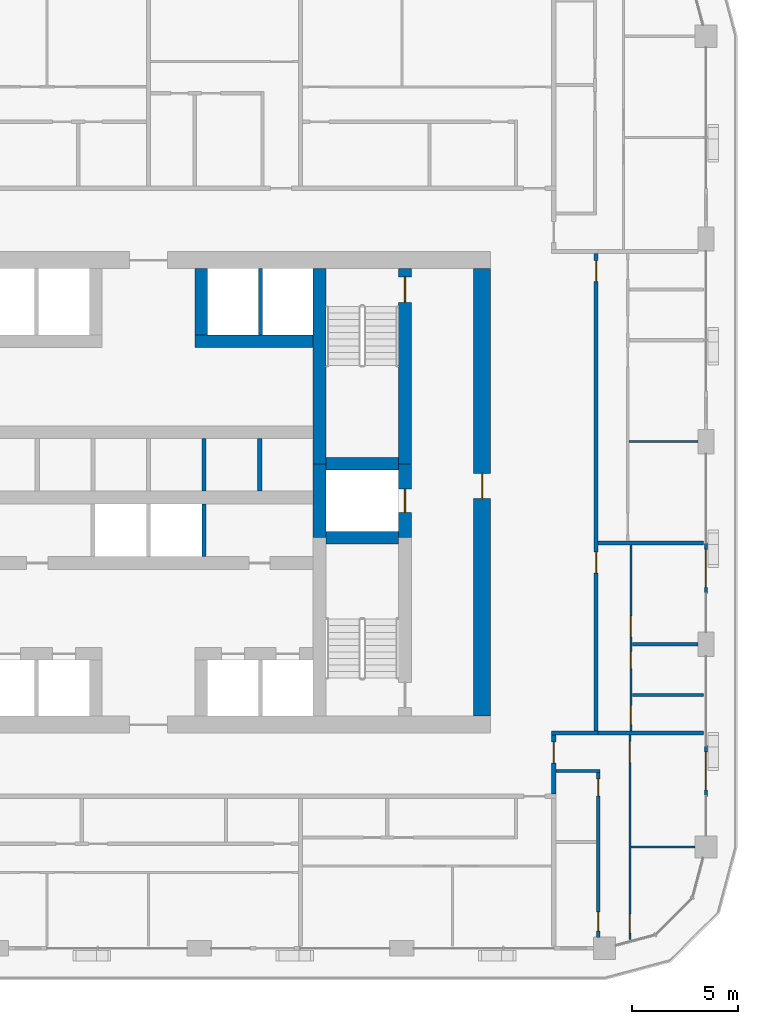
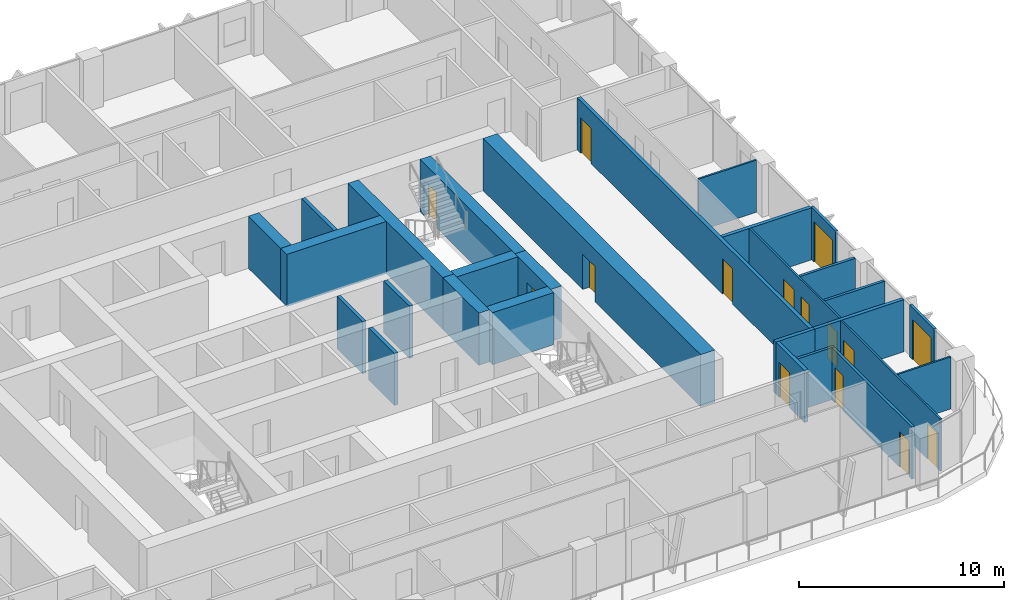
# One storey, part 12 of 22: 28 walls, 15 doors, 15 openings.
"""IFC4 building model written with IfcOpenShell, lengths in metres."""

from ifc_helpers import new_model, si_unit, direction, frame, frame_2d, origin, place, context, subcontext, project, spatial, rectangle, extrude, material, layer, layer_set, type_object, element, fill, save


model = new_model("IFC4")

# Units and contexts
model_context = context("Model", 3, precision=1e-05, world=origin(), true_north=direction((0.0, 1.0)))
body_context = subcontext(model_context, "Body", "Model", "MODEL_VIEW")
ifc_project = project(units=[si_unit("LENGTHUNIT", "METRE"), si_unit("AREAUNIT", "SQUARE_METRE"), si_unit("VOLUMEUNIT", "CUBIC_METRE"), si_unit("PLANEANGLEUNIT", "RADIAN"), si_unit("MASSUNIT", "GRAM", prefix="KILO")], contexts=[model_context])

# Site, building, storey
site_placement = place(None, origin())
site = spatial("IfcSite", under=ifc_project, at=site_placement, CompositionType="ELEMENT")
building_placement = place(site_placement, origin())
building = spatial("IfcBuilding", under=site, at=building_placement, Name="Madar Terraces", CompositionType="ELEMENT")
storey_placement = place(building_placement, frame((0.0, 0.0, 140.10009765625)))
storey = spatial("IfcBuildingStorey", under=building, at=storey_placement, Name="L36", CompositionType="ELEMENT", Elevation=140.10009765625)

# Walls
ifc_material_1 = material(Name="Concrete C70/85", Category="concrete")
ifc_layer_1 = layer(ifc_material_1, 0.60009765625)
ifc_layer_set_1 = layer_set([ifc_layer_1], Name="Concrete C70/85 (CIW3 RC wall 600)")
wall_type_1 = type_object("IfcWallType", Name="CIW3 RC wall 600", PredefinedType="SHEAR", material=ifc_layer_set_1)
wall_1_placement = place(storey_placement, frame((39.300048828125, 24.25, 0.0), z_axis=(0.0, 0.0, 1.0), x_axis=(0.0, 1.0, 0.0)))
element("IfcWall", 1, at=wall_1_placement, inside=storey, type_object=wall_type_1, Name="CORE SHAFT WALL", PredefinedType="SHEAR", context=body_context, shape_type="SweptSolid", body=[
    extrude(rectangle(XDim=3.5, YDim=0.60009765625, at=frame_2d((1.75, 0.0))), origin(), (0.0, 0.0, 1.0), 3.099853515625),
])
wall_2_placement = place(storey_placement, frame((39.300048828125, 27.75, 0.0), z_axis=(0.0, 0.0, 1.0), x_axis=(0.0, 1.0, 0.0)))
element("IfcWall", 2, at=wall_2_placement, inside=storey, type_object=wall_type_1, Name="CORE SHAFT WALL", PredefinedType="SHEAR", context=body_context, shape_type="SweptSolid", body=[
    extrude(rectangle(XDim=9.25, YDim=0.60009765625, at=frame_2d((4.625, 0.0))), origin(), (0.0, 0.0, 1.0), 3.099853515625),
])

# Wall, opening, door
wall_3_placement = place(storey_placement, frame((43.35009765625, 24.25, 0.0), z_axis=(0.0, 0.0, 1.0), x_axis=(0.0, 1.0, 0.0)))
wall_3 = element("IfcWall", 3, at=wall_3_placement, inside=storey, type_object=wall_type_1, Name="CORE SHAFT WALL", PredefinedType="SHEAR", context=body_context, shape_type="SweptSolid", body=[
    extrude(rectangle(XDim=3.5, YDim=0.60009765625, at=frame_2d((1.75, 0.0))), origin(), (0.0, 0.0, 1.0), 3.099853515625),
])
opening_1_placement = place(wall_3_placement, frame((1.199951171875, 0.0, 0.0)))
opening_1 = element("IfcOpeningElement", 4, at=opening_1_placement, cuts=wall_3, Name="Opening LD", PredefinedType="OPENING", context=body_context, shape_type="SweptSolid", body=[
    extrude(rectangle(XDim=1.10009765625, YDim=2.10009765625, at=frame_2d((0.550048828125, 1.050048828125))), frame((0.0, 0.31005859375, 0.0), z_axis=(0.0, -1.0, 0.0), x_axis=(1.0, 0.0, 0.0)), (0.0, 0.0, 1.0), 0.6201171875),
])
ifc_material_2 = material(Name="Stainless steel panel", Category="steel")
door_type_1 = type_object("IfcDoorType", Name="Lift landing door 1100 x 2100", OperationType="DOUBLE_DOOR_SLIDING", PredefinedType="DOOR", material=ifc_material_2)
door_1_placement = place(opening_1_placement, origin())
door_1 = element("IfcDoor", 5, at=door_1_placement, inside=storey, type_object=door_type_1, Name="LIFT LANDING DOOR", OperationType="DOUBLE_DOOR_SLIDING", OverallHeight=2.10009765625, OverallWidth=1.10009765625, PredefinedType="DOOR", context=body_context, shape_type="SweptSolid", body=[
    extrude(rectangle(XDim=1.10009765625, YDim=2.10009765625, at=frame_2d((0.550048828125, 1.050048828125))), frame((0.0, 0.02490234375, 0.0), z_axis=(0.0, -1.0, 0.0), x_axis=(1.0, 0.0, 0.0)), (0.0, 0.0, 1.0), 0.050048828125),
])
fill(opening_1, door_1)

wall_4_placement = place(storey_placement, frame((43.35009765625, 27.75, 0.0), z_axis=(0.0, 0.0, 1.0), x_axis=(0.0, 1.0, 0.0)))
wall_4 = element("IfcWall", 6, at=wall_4_placement, inside=storey, type_object=wall_type_1, Name="CORE SHAFT WALL", PredefinedType="SHEAR", context=body_context, shape_type="SweptSolid", body=[
    extrude(rectangle(XDim=9.25, YDim=0.60009765625, at=frame_2d((4.625, 0.0))), origin(), (0.0, 0.0, 1.0), 3.099853515625),
])
opening_2_placement = place(wall_4_placement, frame((7.64990234375, 0.0, 0.0)))
opening_2 = element("IfcOpeningElement", 7, at=opening_2_placement, cuts=wall_4, Name="Opening SD1", PredefinedType="OPENING", context=body_context, shape_type="SweptSolid", body=[
    extrude(rectangle(XDim=1.199951171875, YDim=2.10009765625, at=frame_2d((0.60009765625, 1.050048828125))), frame((0.0, 0.31005859375, 0.0), z_axis=(0.0, -1.0, 0.0), x_axis=(1.0, 0.0, 0.0)), (0.0, 0.0, 1.0), 0.6201171875),
])
ifc_material_3 = material(Name="Steel door leaf", Category="steel")
door_type_2 = type_object("IfcDoorType", Name="Stair door 1200 x 2100", OperationType="NOTDEFINED", PredefinedType="DOOR", material=ifc_material_3)
door_2_placement = place(opening_2_placement, origin())
door_2 = element("IfcDoor", 8, at=door_2_placement, inside=storey, type_object=door_type_2, Name="STAIR DOOR", OperationType="SINGLE_SWING_RIGHT", OverallHeight=2.10009765625, OverallWidth=1.199951171875, PredefinedType="DOOR", context=body_context, shape_type="SweptSolid", body=[
    extrude(rectangle(XDim=1.199951171875, YDim=2.10009765625, at=frame_2d((0.60009765625, 1.050048828125))), frame((0.0, 0.02490234375, 0.0), z_axis=(0.0, -1.0, 0.0), x_axis=(1.0, 0.0, 0.0)), (0.0, 0.0, 1.0), 0.050048828125),
])
fill(opening_2, door_2)

# Walls
for number, where, z_axis, x_axis, name in (
    (9, (39.60009765625, 24.25, 0.0), (0.0, 0.0, 1.0), (1.0, 0.0, 0.0), "CORE SHAFT WALL"),
    (10, (39.60009765625, 27.75, 0.0), (0.0, 0.0, 1.0), (1.0, 0.0, 0.0), "CORE SHAFT WALL"),
):
    element("IfcWall", number, at=place(storey_placement, frame(where, z_axis=z_axis, x_axis=x_axis)), inside=storey, type_object=wall_type_1, Name=name, PredefinedType="SHEAR", context=body_context, shape_type="SweptSolid", body=[
        extrude(rectangle(XDim=3.449951171875, YDim=0.60009765625, at=frame_2d((1.72509765625, 0.0))), origin(), (0.0, 0.0, 1.0), 3.099853515625),
    ])
wall_5_placement = place(storey_placement, frame((33.39990234375, 33.550048828125, 0.0), z_axis=(0.0, 0.0, 1.0), x_axis=(1.0, 0.0, 0.0)))
element("IfcWall", 11, at=wall_5_placement, inside=storey, type_object=wall_type_1, Name="CORE SHAFT WALL", PredefinedType="SHEAR", context=body_context, shape_type="SweptSolid", body=[
    extrude(rectangle(XDim=5.60009765625, YDim=0.60009765625, at=frame_2d((2.800048828125, 0.0))), origin(), (0.0, 0.0, 1.0), 3.099853515625),
])
wall_6_placement = place(storey_placement, frame((33.699951171875, 33.85009765625, 0.0), z_axis=(0.0, 0.0, 1.0), x_axis=(0.0, 1.0, 0.0)))
element("IfcWall", 12, at=wall_6_placement, inside=storey, type_object=wall_type_1, Name="CORE SHAFT WALL", PredefinedType="SHEAR", context=body_context, shape_type="SweptSolid", body=[
    extrude(rectangle(XDim=3.14990234375, YDim=0.60009765625, at=frame_2d((1.574951171875, 0.0))), origin(), (0.0, 0.0, 1.0), 3.099853515625),
])

# Wall, opening, door
ifc_material_4 = material(Name="Concrete C70/85", Category="concrete")
ifc_layer_2 = layer(ifc_material_4, 0.800048828125)
ifc_layer_set_2 = layer_set([ifc_layer_2], Name="Concrete C70/85 (CRW3 RC wall 800)")
wall_type_2 = type_object("IfcWallType", Name="CRW3 RC wall 800", PredefinedType="SHEAR", material=ifc_layer_set_2)
wall_7_placement = place(storey_placement, frame((47.0, 15.800048828125, 0.0), z_axis=(0.0, 0.0, 1.0), x_axis=(0.0, 1.0, 0.0)))
wall_7 = element("IfcWall", 13, at=wall_7_placement, inside=storey, type_object=wall_type_2, Name="CORE OUTER WALL", PredefinedType="SHEAR", context=body_context, shape_type="SweptSolid", body=[
    extrude(rectangle(XDim=21.199951171875, YDim=0.800048828125, at=frame_2d((10.60009765625, 0.0))), origin(), (0.0, 0.0, 1.0), 3.099853515625),
])
opening_3_placement = place(wall_7_placement, frame((10.300048828125, 0.0, 0.0)))
opening_3 = element("IfcOpeningElement", 14, at=opening_3_placement, cuts=wall_7, Name="Opening SD1", PredefinedType="OPENING", context=body_context, shape_type="SweptSolid", body=[
    extrude(rectangle(XDim=1.199951171875, YDim=2.10009765625, at=frame_2d((0.60009765625, 1.050048828125))), frame((0.0, 0.409912109375, 0.0), z_axis=(0.0, -1.0, 0.0), x_axis=(1.0, 0.0, 0.0)), (0.0, 0.0, 1.0), 0.820068359375),
])
door_3_placement = place(opening_3_placement, origin())
door_3 = element("IfcDoor", 15, at=door_3_placement, inside=storey, type_object=door_type_2, Name="STAIR DOOR", OperationType="SINGLE_SWING_RIGHT", OverallHeight=2.10009765625, OverallWidth=1.199951171875, PredefinedType="DOOR", context=body_context, shape_type="SweptSolid", body=[
    extrude(rectangle(XDim=1.199951171875, YDim=2.10009765625, at=frame_2d((0.60009765625, 1.050048828125))), frame((0.0, 0.02490234375, 0.0), z_axis=(0.0, -1.0, 0.0), x_axis=(1.0, 0.0, 0.0)), (0.0, 0.0, 1.0), 0.050048828125),
])
fill(opening_3, door_3)

# Walls
ifc_material_5 = material(Name="Concrete C40/50", Category="concrete")
ifc_layer_3 = layer(ifc_material_5, 0.199951171875)
ifc_layer_set_3 = layer_set([ifc_layer_3], Name="Core shaft dividing wall 200 C40/50")
wall_type_3 = type_object("IfcWallType", Name="Core shaft dividing wall 200 C40/50", PredefinedType="SOLIDWALL", material=ifc_layer_set_3)
for number, where, z_axis, x_axis, name in (
    (16, (33.833251953125, 23.35009765625, 0.0), (0.0, 0.0, 1.0), (0.0, 1.0, 0.0), "SHAFT DIVIDING WALL"),
    (17, (33.833251953125, 26.449951171875, 0.0), (0.0, 0.0, 1.0), (0.0, 1.0, 0.0), "SHAFT DIVIDING WALL"),
    (18, (36.466552734375, 26.449951171875, 0.0), (0.0, 0.0, 1.0), (0.0, 1.0, 0.0), "SHAFT DIVIDING WALL"),
):
    element("IfcWall", number, at=place(storey_placement, frame(where, z_axis=z_axis, x_axis=x_axis)), inside=storey, type_object=wall_type_3, Name=name, PredefinedType="SOLIDWALL", context=body_context, shape_type="SweptSolid", body=[
        extrude(rectangle(XDim=2.5, YDim=0.199951171875, at=frame_2d((1.25, 0.0))), origin(), (0.0, 0.0, 1.0), 3.099853515625),
    ])
wall_8_placement = place(storey_placement, frame((36.5, 33.85009765625, 0.0), z_axis=(0.0, 0.0, 1.0), x_axis=(0.0, 1.0, 0.0)))
element("IfcWall", 19, at=wall_8_placement, inside=storey, type_object=wall_type_3, Name="SHAFT DIVIDING WALL", PredefinedType="SOLIDWALL", context=body_context, shape_type="SweptSolid", body=[
    extrude(rectangle(XDim=3.14990234375, YDim=0.199951171875, at=frame_2d((1.574951171875, 0.0))), origin(), (0.0, 0.0, 1.0), 3.099853515625),
])

# Wall, opening, door
ifc_material_6 = material(Name="Aluminium composite panel, black, over insulated backing", Category="aluminium")
ifc_layer_4 = layer(ifc_material_6, 0.14990234375)
ifc_layer_set_4 = layer_set([ifc_layer_4], Name="Facade bay panel 150")
wall_type_4 = type_object("IfcWallType", Name="Facade bay panel 150", PredefinedType="SOLIDWALL", material=ifc_layer_set_4)
wall_9_placement = place(storey_placement, frame((57.60009765625, 12.0, 0.0), z_axis=(0.0, 0.0, 1.0), x_axis=(0.0, 1.0, 0.0)))
wall_9 = element("IfcWall", 20, at=wall_9_placement, inside=storey, type_object=wall_type_4, Name="Facade bay panel", PredefinedType="SOLIDWALL", context=body_context, shape_type="SweptSolid", body=[
    extrude(rectangle(XDim=2.39990234375, YDim=0.14990234375, at=frame_2d((1.199951171875, 0.0))), origin(), (0.0, 0.0, 1.0), 3.099853515625),
])
opening_4_placement = place(wall_9_placement, frame((0.300048828125, 0.0, 0.0)))
opening_4 = element("IfcOpeningElement", 21, at=opening_4_placement, cuts=wall_9, Name="Opening ED1", PredefinedType="OPENING", context=body_context, shape_type="SweptSolid", body=[
    extrude(rectangle(XDim=1.800048828125, YDim=2.39990234375, at=frame_2d((0.89990234375, 1.199951171875))), frame((0.0, 0.0849609375, 0.0), z_axis=(0.0, -1.0, 0.0), x_axis=(1.0, 0.0, 0.0)), (0.0, 0.0, 1.0), 0.169921875),
])
ifc_material_7 = material(Name="Glass, clear, with black aluminium frame", Category="aluminium")
door_type_3 = type_object("IfcDoorType", Name="Balcony and terrace sliding door 1800 x 2400", OperationType="SLIDING_TO_LEFT", PredefinedType="DOOR", material=ifc_material_7)
door_4_placement = place(opening_4_placement, origin())
door_4 = element("IfcDoor", 22, at=door_4_placement, inside=storey, type_object=door_type_3, Name="Balcony door", OperationType="SLIDING_TO_RIGHT", OverallHeight=2.39990234375, OverallWidth=1.800048828125, PredefinedType="DOOR", context=body_context, shape_type="SweptSolid", body=[
    extrude(rectangle(XDim=1.800048828125, YDim=2.39990234375, at=frame_2d((0.89990234375, 1.199951171875))), frame((0.0, 0.02490234375, 0.0), z_axis=(0.0, -1.0, 0.0), x_axis=(1.0, 0.0, 0.0)), (0.0, 0.0, 1.0), 0.050048828125),
])
fill(opening_4, door_4)

wall_10_placement = place(storey_placement, frame((57.60009765625, 21.60009765625, 0.0), z_axis=(0.0, 0.0, 1.0), x_axis=(0.0, 1.0, 0.0)))
wall_10 = element("IfcWall", 23, at=wall_10_placement, inside=storey, type_object=wall_type_4, Name="Facade bay panel", PredefinedType="SOLIDWALL", context=body_context, shape_type="SweptSolid", body=[
    extrude(rectangle(XDim=2.39990234375, YDim=0.14990234375, at=frame_2d((1.199951171875, 0.0))), origin(), (0.0, 0.0, 1.0), 3.099853515625),
])
opening_5_placement = place(wall_10_placement, frame((0.300048828125, 0.0, 0.0)))
opening_5 = element("IfcOpeningElement", 24, at=opening_5_placement, cuts=wall_10, Name="Opening ED1", PredefinedType="OPENING", context=body_context, shape_type="SweptSolid", body=[
    extrude(rectangle(XDim=1.800048828125, YDim=2.39990234375, at=frame_2d((0.89990234375, 1.199951171875))), frame((0.0, 0.0849609375, 0.0), z_axis=(0.0, -1.0, 0.0), x_axis=(1.0, 0.0, 0.0)), (0.0, 0.0, 1.0), 0.169921875),
])
door_5_placement = place(opening_5_placement, origin())
door_5 = element("IfcDoor", 25, at=door_5_placement, inside=storey, type_object=door_type_3, Name="Balcony door", OperationType="SLIDING_TO_LEFT", OverallHeight=2.39990234375, OverallWidth=1.800048828125, PredefinedType="DOOR", context=body_context, shape_type="SweptSolid", body=[
    extrude(rectangle(XDim=1.800048828125, YDim=2.39990234375, at=frame_2d((0.89990234375, 1.199951171875))), frame((0.0, 0.02490234375, 0.0), z_axis=(0.0, -1.0, 0.0), x_axis=(1.0, 0.0, 0.0)), (0.0, 0.0, 1.0), 0.050048828125),
])
fill(opening_5, door_5)

# Wall
ifc_material_8 = material(Name="Gypsum board on steel studs", Category="steel")
ifc_layer_5 = layer(ifc_material_8, 0.10009765625)
ifc_layer_set_5 = layer_set([ifc_layer_5], Name="Flat partition 100")
wall_type_5 = type_object("IfcWallType", Name="Flat partition 100", PredefinedType="PARTITIONING", material=ifc_layer_set_5)
wall_11_placement = place(storey_placement, frame((54.050048828125, 9.60009765625, 0.0), z_axis=(0.0, 0.0, 1.0), x_axis=(1.0, 0.0, 0.0)))
element("IfcWall", 26, at=wall_11_placement, inside=storey, type_object=wall_type_5, Name="Flat partition 100", PredefinedType="PARTITIONING", context=body_context, shape_type="SweptSolid", body=[
    extrude(rectangle(XDim=3.02490234375, YDim=0.10009765625, at=frame_2d((1.512451171875, 0.0))), origin(), (0.0, 0.0, 1.0), 3.099853515625),
])

# Wall, openings, doors
wall_12_placement = place(storey_placement, frame((54.0, 14.89990234375, 0.0), z_axis=(0.0, 0.0, 1.0), x_axis=(0.0, -1.0, 0.0)))
wall_12 = element("IfcWall", 27, at=wall_12_placement, inside=storey, type_object=wall_type_5, Name="Flat partition 100", PredefinedType="PARTITIONING", context=body_context, shape_type="SweptSolid", body=[
    extrude(rectangle(XDim=9.678466796875, YDim=0.10009765625, at=frame_2d((4.83935546875, 0.0))), origin(), (0.0, 0.0, 1.0), 3.099853515625),
])
opening_6_placement = place(wall_12_placement, frame((0.300048828125, 0.0, 0.0)))
opening_6 = element("IfcOpeningElement", 28, at=opening_6_placement, cuts=wall_12, Name="Opening D3", PredefinedType="OPENING", context=body_context, shape_type="SweptSolid", body=[
    extrude(rectangle(XDim=1.0, YDim=2.10009765625, at=frame_2d((0.5, 1.050048828125))), frame((0.0, 0.06005859375, 0.0), z_axis=(0.0, -1.0, 0.0), x_axis=(1.0, 0.0, 0.0)), (0.0, 0.0, 1.0), 0.1201171875),
])
opening_7_placement = place(wall_12_placement, frame((8.478515625, 0.0, 0.0)))
opening_7 = element("IfcOpeningElement", 29, at=opening_7_placement, cuts=wall_12, Name="Opening D2", PredefinedType="OPENING", context=body_context, shape_type="SweptSolid", body=[
    extrude(rectangle(XDim=0.89990234375, YDim=2.10009765625, at=frame_2d((0.449951171875, 1.050048828125))), frame((0.0, 0.06005859375, 0.0), z_axis=(0.0, -1.0, 0.0), x_axis=(1.0, 0.0, 0.0)), (0.0, 0.0, 1.0), 0.1201171875),
])
ifc_material_9 = material(Name="Timber door leaf", Category="wood")
door_type_4 = type_object("IfcDoorType", Name="Flat living room door 1000", OperationType="NOTDEFINED", PredefinedType="DOOR", material=ifc_material_9)
door_6_placement = place(opening_6_placement, origin())
door_6 = element("IfcDoor", 30, at=door_6_placement, inside=storey, type_object=door_type_4, Name="Flat living room door 1000", OperationType="SINGLE_SWING_LEFT", OverallHeight=2.10009765625, OverallWidth=1.0, PredefinedType="DOOR", context=body_context, shape_type="SweptSolid", body=[
    extrude(rectangle(XDim=1.0, YDim=2.10009765625, at=frame_2d((0.5, 1.050048828125))), frame((0.0, 0.02490234375, 0.0), z_axis=(0.0, -1.0, 0.0), x_axis=(1.0, 0.0, 0.0)), (0.0, 0.0, 1.0), 0.050048828125),
])
fill(opening_6, door_6)
ifc_material_10 = material(Name="Timber door leaf", Category="wood")
door_type_5 = type_object("IfcDoorType", Name="Flat room door 900", OperationType="NOTDEFINED", PredefinedType="DOOR", material=ifc_material_10)
door_7_placement = place(opening_7_placement, origin())
door_7 = element("IfcDoor", 31, at=door_7_placement, inside=storey, type_object=door_type_5, Name="Flat room door 900", OperationType="SINGLE_SWING_RIGHT", OverallHeight=2.10009765625, OverallWidth=0.89990234375, PredefinedType="DOOR", context=body_context, shape_type="SweptSolid", body=[
    extrude(rectangle(XDim=0.89990234375, YDim=2.10009765625, at=frame_2d((0.449951171875, 1.050048828125))), frame((0.0, 0.02490234375, 0.0), z_axis=(0.0, -1.0, 0.0), x_axis=(1.0, 0.0, 0.0)), (0.0, 0.0, 1.0), 0.050048828125),
])
fill(opening_7, door_7)

wall_13_placement = place(storey_placement, frame((54.050048828125, 23.89990234375, 0.0), z_axis=(0.0, 0.0, 1.0), x_axis=(0.0, -1.0, 0.0)))
wall_13 = element("IfcWall", 32, at=wall_13_placement, inside=storey, type_object=wall_type_5, Name="Flat partition 100", PredefinedType="PARTITIONING", context=body_context, shape_type="SweptSolid", body=[
    extrude(rectangle(XDim=8.7998046875, YDim=0.10009765625, at=frame_2d((4.39990234375, 0.0))), origin(), (0.0, 0.0, 1.0), 3.099853515625),
])
opening_8_placement = place(wall_13_placement, frame((3.35009765625, 0.0, 0.0)))
opening_8 = element("IfcOpeningElement", 33, at=opening_8_placement, cuts=wall_13, Name="Opening D3", PredefinedType="OPENING", context=body_context, shape_type="SweptSolid", body=[
    extrude(rectangle(XDim=1.0, YDim=2.10009765625, at=frame_2d((0.5, 1.050048828125))), frame((0.0, 0.06005859375, 0.0), z_axis=(0.0, -1.0, 0.0), x_axis=(1.0, 0.0, 0.0)), (0.0, 0.0, 1.0), 0.1201171875),
])
opening_9_placement = place(wall_13_placement, frame((5.050048828125, 0.0, 0.0)))
opening_9 = element("IfcOpeningElement", 34, at=opening_9_placement, cuts=wall_13, Name="Opening D4", PredefinedType="OPENING", context=body_context, shape_type="SweptSolid", body=[
    extrude(rectangle(XDim=0.800048828125, YDim=2.10009765625, at=frame_2d((0.39990234375, 1.050048828125))), frame((0.0, 0.06005859375, 0.0), z_axis=(0.0, -1.0, 0.0), x_axis=(1.0, 0.0, 0.0)), (0.0, 0.0, 1.0), 0.1201171875),
])
opening_10_placement = place(wall_13_placement, frame((7.60009765625, 0.0, 0.0)))
opening_10 = element("IfcOpeningElement", 35, at=opening_10_placement, cuts=wall_13, Name="Opening D2", PredefinedType="OPENING", context=body_context, shape_type="SweptSolid", body=[
    extrude(rectangle(XDim=0.89990234375, YDim=2.10009765625, at=frame_2d((0.449951171875, 1.050048828125))), frame((0.0, 0.06005859375, 0.0), z_axis=(0.0, -1.0, 0.0), x_axis=(1.0, 0.0, 0.0)), (0.0, 0.0, 1.0), 0.1201171875),
])
ifc_material_11 = material(Name="Timber door leaf", Category="wood")
door_type_6 = type_object("IfcDoorType", Name="Flat bathroom door 800", OperationType="NOTDEFINED", PredefinedType="DOOR", material=ifc_material_11)
door_8_placement = place(opening_9_placement, origin())
door_8 = element("IfcDoor", 36, at=door_8_placement, inside=storey, type_object=door_type_6, Name="Flat bathroom door 800", OperationType="SINGLE_SWING_LEFT", OverallHeight=2.10009765625, OverallWidth=0.800048828125, PredefinedType="DOOR", context=body_context, shape_type="SweptSolid", body=[
    extrude(rectangle(XDim=0.800048828125, YDim=2.10009765625, at=frame_2d((0.39990234375, 1.050048828125))), frame((0.0, 0.02490234375, 0.0), z_axis=(0.0, -1.0, 0.0), x_axis=(1.0, 0.0, 0.0)), (0.0, 0.0, 1.0), 0.050048828125),
])
fill(opening_9, door_8)
door_9_placement = place(opening_8_placement, origin())
door_9 = element("IfcDoor", 37, at=door_9_placement, inside=storey, type_object=door_type_4, Name="Flat living room door 1000", OperationType="SINGLE_SWING_RIGHT", OverallHeight=2.10009765625, OverallWidth=1.0, PredefinedType="DOOR", context=body_context, shape_type="SweptSolid", body=[
    extrude(rectangle(XDim=1.0, YDim=2.10009765625, at=frame_2d((0.5, 1.050048828125))), frame((0.0, 0.02490234375, 0.0), z_axis=(0.0, -1.0, 0.0), x_axis=(1.0, 0.0, 0.0)), (0.0, 0.0, 1.0), 0.050048828125),
])
fill(opening_8, door_9)
door_10_placement = place(opening_10_placement, origin())
door_10 = element("IfcDoor", 38, at=door_10_placement, inside=storey, type_object=door_type_5, Name="Flat room door 900", OperationType="SINGLE_SWING_RIGHT", OverallHeight=2.10009765625, OverallWidth=0.89990234375, PredefinedType="DOOR", context=body_context, shape_type="SweptSolid", body=[
    extrude(rectangle(XDim=0.89990234375, YDim=2.10009765625, at=frame_2d((0.449951171875, 1.050048828125))), frame((0.0, 0.02490234375, 0.0), z_axis=(0.0, -1.0, 0.0), x_axis=(1.0, 0.0, 0.0)), (0.0, 0.0, 1.0), 0.050048828125),
])
fill(opening_10, door_10)

# Wall
wall_14_placement = place(storey_placement, frame((53.949951171875, 28.800048828125, 0.0), z_axis=(0.0, 0.0, 1.0), x_axis=(1.0, 0.0, 0.0)))
element("IfcWall", 39, at=wall_14_placement, inside=storey, type_object=wall_type_5, Name="Flat partition 100", PredefinedType="PARTITIONING", context=body_context, shape_type="SweptSolid", body=[
    extrude(rectangle(XDim=3.275146484375, YDim=0.10009765625, at=frame_2d((1.6376953125, 0.0))), origin(), (0.0, 0.0, 1.0), 3.099853515625),
])

# Wall, opening, door
ifc_material_12 = material(Name="Lightweight blockwork", Category="masonry")
ifc_layer_6 = layer(ifc_material_12, 0.199951171875)
ifc_layer_set_6 = layer_set([ifc_layer_6], Name="Flat party and entrance wall 200")
wall_type_6 = type_object("IfcWallType", Name="Flat party and entrance wall 200", PredefinedType="PARTITIONING", material=ifc_layer_set_6)
wall_15_placement = place(storey_placement, frame((50.39990234375, 14.89990234375, 0.0), z_axis=(0.0, 0.0, 1.0), x_axis=(0.0, -1.0, 0.0)))
wall_15 = element("IfcWall", 40, at=wall_15_placement, inside=storey, type_object=wall_type_6, Name="Flat party and entrance wall 200", PredefinedType="PARTITIONING", context=body_context, shape_type="SweptSolid", body=[
    extrude(rectangle(XDim=2.7998046875, YDim=0.199951171875, at=frame_2d((1.39990234375, 0.0))), origin(), (0.0, 0.0, 1.0), 3.099853515625),
])
opening_11_placement = place(wall_15_placement, frame((0.324951171875, 0.0, 0.0)))
opening_11 = element("IfcOpeningElement", 41, at=opening_11_placement, cuts=wall_15, Name="Opening D1", PredefinedType="OPENING", context=body_context, shape_type="SweptSolid", body=[
    extrude(rectangle(XDim=1.0, YDim=2.10009765625, at=frame_2d((0.5, 1.050048828125))), frame((0.0, 0.10986328125, 0.0), z_axis=(0.0, -1.0, 0.0), x_axis=(1.0, 0.0, 0.0)), (0.0, 0.0, 1.0), 0.219970703125),
])
ifc_material_13 = material(Name="Timber fire door leaf", Category="wood")
door_type_7 = type_object("IfcDoorType", Name="Flat entrance door 1000 FD30S", OperationType="NOTDEFINED", PredefinedType="DOOR", material=ifc_material_13)
door_11_placement = place(opening_11_placement, origin())
door_11 = element("IfcDoor", 42, at=door_11_placement, inside=storey, type_object=door_type_7, Name="Flat entrance door 1000 FD30S", OperationType="SINGLE_SWING_LEFT", OverallHeight=2.10009765625, OverallWidth=1.0, PredefinedType="DOOR", context=body_context, shape_type="SweptSolid", body=[
    extrude(rectangle(XDim=1.0, YDim=2.10009765625, at=frame_2d((0.5, 1.050048828125))), frame((0.0, 0.02490234375, 0.0), z_axis=(0.0, -1.0, 0.0), x_axis=(1.0, 0.0, 0.0)), (0.0, 0.0, 1.0), 0.050048828125),
])
fill(opening_11, door_11)

# Wall
wall_16_placement = place(storey_placement, frame((50.300048828125, 15.0, 0.0), z_axis=(0.0, 0.0, 1.0), x_axis=(1.0, 0.0, 0.0)))
element("IfcWall", 43, at=wall_16_placement, inside=storey, type_object=wall_type_6, Name="Flat party and entrance wall 200", PredefinedType="PARTITIONING", context=body_context, shape_type="SweptSolid", body=[
    extrude(rectangle(XDim=2.199951171875, YDim=0.199951171875, at=frame_2d((1.10009765625, 0.0))), origin(), (0.0, 0.0, 1.0), 3.099853515625),
])

# Wall, openings, doors
wall_17_placement = place(storey_placement, frame((52.39990234375, 37.699951171875, 0.0), z_axis=(0.0, 0.0, 1.0), x_axis=(0.0, -1.0, 0.0)))
wall_17 = element("IfcWall", 44, at=wall_17_placement, inside=storey, type_object=wall_type_6, Name="Flat party and entrance wall 200", PredefinedType="PARTITIONING", context=body_context, shape_type="SweptSolid", body=[
    extrude(rectangle(XDim=22.599853515625, YDim=0.199951171875, at=frame_2d((11.2998046875, 0.0))), origin(), (0.0, 0.0, 1.0), 3.099853515625),
])
opening_12_placement = place(wall_17_placement, frame((14.125, 0.0, 0.0)))
opening_12 = element("IfcOpeningElement", 45, at=opening_12_placement, cuts=wall_17, Name="Opening D1", PredefinedType="OPENING", context=body_context, shape_type="SweptSolid", body=[
    extrude(rectangle(XDim=1.0, YDim=2.10009765625, at=frame_2d((0.5, 1.050048828125))), frame((0.0, 0.10986328125, 0.0), z_axis=(0.0, -1.0, 0.0), x_axis=(1.0, 0.0, 0.0)), (0.0, 0.0, 1.0), 0.219970703125),
])
opening_13_placement = place(wall_17_placement, frame((0.324951171875, 0.0, 0.0)))
opening_13 = element("IfcOpeningElement", 46, at=opening_13_placement, cuts=wall_17, Name="Opening D1", PredefinedType="OPENING", context=body_context, shape_type="SweptSolid", body=[
    extrude(rectangle(XDim=1.0, YDim=2.10009765625, at=frame_2d((0.5, 1.050048828125))), frame((0.0, 0.10986328125, 0.0), z_axis=(0.0, -1.0, 0.0), x_axis=(1.0, 0.0, 0.0)), (0.0, 0.0, 1.0), 0.219970703125),
])
door_12_placement = place(opening_12_placement, origin())
door_12 = element("IfcDoor", 47, at=door_12_placement, inside=storey, type_object=door_type_7, Name="Flat entrance door 1000 FD30S", OperationType="SINGLE_SWING_LEFT", OverallHeight=2.10009765625, OverallWidth=1.0, PredefinedType="DOOR", context=body_context, shape_type="SweptSolid", body=[
    extrude(rectangle(XDim=1.0, YDim=2.10009765625, at=frame_2d((0.5, 1.050048828125))), frame((0.0, 0.02490234375, 0.0), z_axis=(0.0, -1.0, 0.0), x_axis=(1.0, 0.0, 0.0)), (0.0, 0.0, 1.0), 0.050048828125),
])
fill(opening_12, door_12)
door_13_placement = place(opening_13_placement, origin())
door_13 = element("IfcDoor", 48, at=door_13_placement, inside=storey, type_object=door_type_7, Name="Flat entrance door 1000 FD30S", OperationType="SINGLE_SWING_LEFT", OverallHeight=2.10009765625, OverallWidth=1.0, PredefinedType="DOOR", context=body_context, shape_type="SweptSolid", body=[
    extrude(rectangle(XDim=1.0, YDim=2.10009765625, at=frame_2d((0.5, 1.050048828125))), frame((0.0, 0.02490234375, 0.0), z_axis=(0.0, -1.0, 0.0), x_axis=(1.0, 0.0, 0.0)), (0.0, 0.0, 1.0), 0.050048828125),
])
fill(opening_13, door_13)

# Walls
for number, where, z_axis, x_axis, name in (
    (49, (52.5, 15.0, 0.0), (0.0, 0.0, 1.0), (1.0, 0.0, 0.0), "Flat party and entrance wall 200"),
    (50, (52.5, 24.0, 0.0), (0.0, 0.0, 1.0), (1.0, 0.0, 0.0), "Flat party and entrance wall 200"),
):
    element("IfcWall", number, at=place(storey_placement, frame(where, z_axis=z_axis, x_axis=x_axis)), inside=storey, type_object=wall_type_6, Name=name, PredefinedType="PARTITIONING", context=body_context, shape_type="SweptSolid", body=[
        extrude(rectangle(XDim=5.0, YDim=0.199951171875, at=frame_2d((2.5, 0.0))), origin(), (0.0, 0.0, 1.0), 3.099853515625),
    ])
ifc_material_14 = material(Name="Lightweight blockwork", Category="masonry")
ifc_layer_7 = layer(ifc_material_14, 0.14990234375)
ifc_layer_set_7 = layer_set([ifc_layer_7], Name="Flat wet-room partition 150")
wall_type_7 = type_object("IfcWallType", Name="Flat wet-room partition 150", PredefinedType="PARTITIONING", material=ifc_layer_set_7)
wall_18_placement = place(storey_placement, frame((50.5, 13.199951171875, 0.0), z_axis=(0.0, 0.0, 1.0), x_axis=(1.0, 0.0, 0.0)))
element("IfcWall", 51, at=wall_18_placement, inside=storey, type_object=wall_type_7, Name="Flat wet-room partition 150", PredefinedType="PARTITIONING", context=body_context, shape_type="SweptSolid", body=[
    extrude(rectangle(XDim=2.074951171875, YDim=0.14990234375, at=frame_2d((1.03759765625, 0.0))), origin(), (0.0, 0.0, 1.0), 3.099853515625),
])

# Wall, openings, doors
wall_19_placement = place(storey_placement, frame((52.5, 5.324951171875, 0.0), z_axis=(0.0, 0.0, 1.0), x_axis=(0.0, 1.0, 0.0)))
wall_19 = element("IfcWall", 52, at=wall_19_placement, inside=storey, type_object=wall_type_7, Name="Flat wet-room partition 150", PredefinedType="PARTITIONING", context=body_context, shape_type="SweptSolid", body=[
    extrude(rectangle(XDim=7.800048828125, YDim=0.14990234375, at=frame_2d((3.89990234375, 0.0))), origin(), (0.0, 0.0, 1.0), 3.099853515625),
])
opening_14_placement = place(wall_19_placement, frame((6.699951171875, 0.0, 0.0)))
opening_14 = element("IfcOpeningElement", 53, at=opening_14_placement, cuts=wall_19, Name="Opening D4", PredefinedType="OPENING", context=body_context, shape_type="SweptSolid", body=[
    extrude(rectangle(XDim=0.800048828125, YDim=2.10009765625, at=frame_2d((0.39990234375, 1.050048828125))), frame((0.0, 0.0849609375, 0.0), z_axis=(0.0, -1.0, 0.0), x_axis=(1.0, 0.0, 0.0)), (0.0, 0.0, 1.0), 0.169921875),
])
opening_15_placement = place(wall_19_placement, frame((0.300048828125, 0.0, 0.0)))
opening_15 = element("IfcOpeningElement", 54, at=opening_15_placement, cuts=wall_19, Name="Opening D2", PredefinedType="OPENING", context=body_context, shape_type="SweptSolid", body=[
    extrude(rectangle(XDim=0.89990234375, YDim=2.10009765625, at=frame_2d((0.449951171875, 1.050048828125))), frame((0.0, 0.0849609375, 0.0), z_axis=(0.0, -1.0, 0.0), x_axis=(1.0, 0.0, 0.0)), (0.0, 0.0, 1.0), 0.169921875),
])
door_14_placement = place(opening_14_placement, origin())
door_14 = element("IfcDoor", 55, at=door_14_placement, inside=storey, type_object=door_type_6, Name="Flat bathroom door 800", OperationType="SINGLE_SWING_RIGHT", OverallHeight=2.10009765625, OverallWidth=0.800048828125, PredefinedType="DOOR", context=body_context, shape_type="SweptSolid", body=[
    extrude(rectangle(XDim=0.800048828125, YDim=2.10009765625, at=frame_2d((0.39990234375, 1.050048828125))), frame((0.0, 0.02490234375, 0.0), z_axis=(0.0, -1.0, 0.0), x_axis=(1.0, 0.0, 0.0)), (0.0, 0.0, 1.0), 0.050048828125),
])
fill(opening_14, door_14)
door_15_placement = place(opening_15_placement, origin())
door_15 = element("IfcDoor", 56, at=door_15_placement, inside=storey, type_object=door_type_5, Name="Flat room door 900", OperationType="SINGLE_SWING_LEFT", OverallHeight=2.10009765625, OverallWidth=0.89990234375, PredefinedType="DOOR", context=body_context, shape_type="SweptSolid", body=[
    extrude(rectangle(XDim=0.89990234375, YDim=2.10009765625, at=frame_2d((0.449951171875, 1.050048828125))), frame((0.0, 0.02490234375, 0.0), z_axis=(0.0, -1.0, 0.0), x_axis=(1.0, 0.0, 0.0)), (0.0, 0.0, 1.0), 0.050048828125),
])
fill(opening_15, door_15)

# Walls
wall_20_placement = place(storey_placement, frame((54.125, 19.199951171875, 0.0), z_axis=(0.0, 0.0, 1.0), x_axis=(1.0, 0.0, 0.0)))
element("IfcWall", 57, at=wall_20_placement, inside=storey, type_object=wall_type_7, Name="Flat wet-room partition 150", PredefinedType="PARTITIONING", context=body_context, shape_type="SweptSolid", body=[
    extrude(rectangle(XDim=3.10009765625, YDim=0.14990234375, at=frame_2d((1.550048828125, 0.0))), origin(), (0.0, 0.0, 1.0), 3.099853515625),
])
wall_21_placement = place(storey_placement, frame((54.125, 16.800048828125, 0.0), z_axis=(0.0, 0.0, 1.0), x_axis=(1.0, 0.0, 0.0)))
element("IfcWall", 58, at=wall_21_placement, inside=storey, type_object=wall_type_7, Name="Flat wet-room partition 150", PredefinedType="PARTITIONING", context=body_context, shape_type="SweptSolid", body=[
    extrude(rectangle(XDim=3.375, YDim=0.14990234375, at=frame_2d((1.6875, 0.0))), origin(), (0.0, 0.0, 1.0), 3.099853515625),
])

save(model, "model.ifc")
